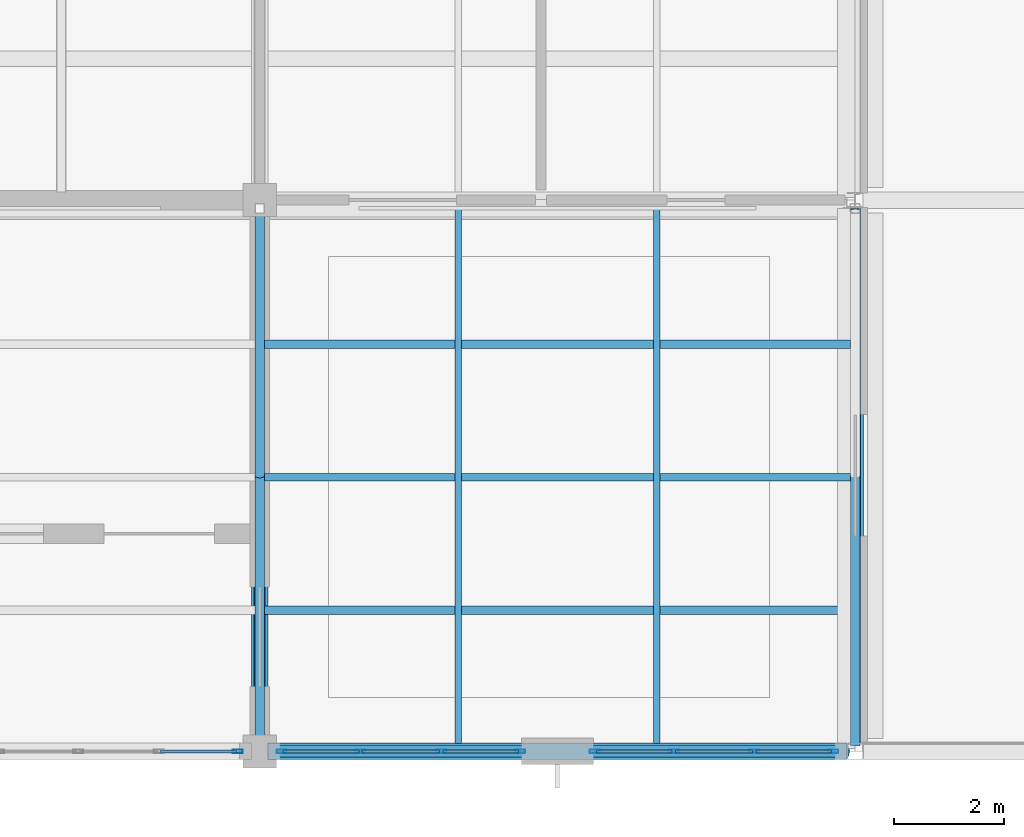
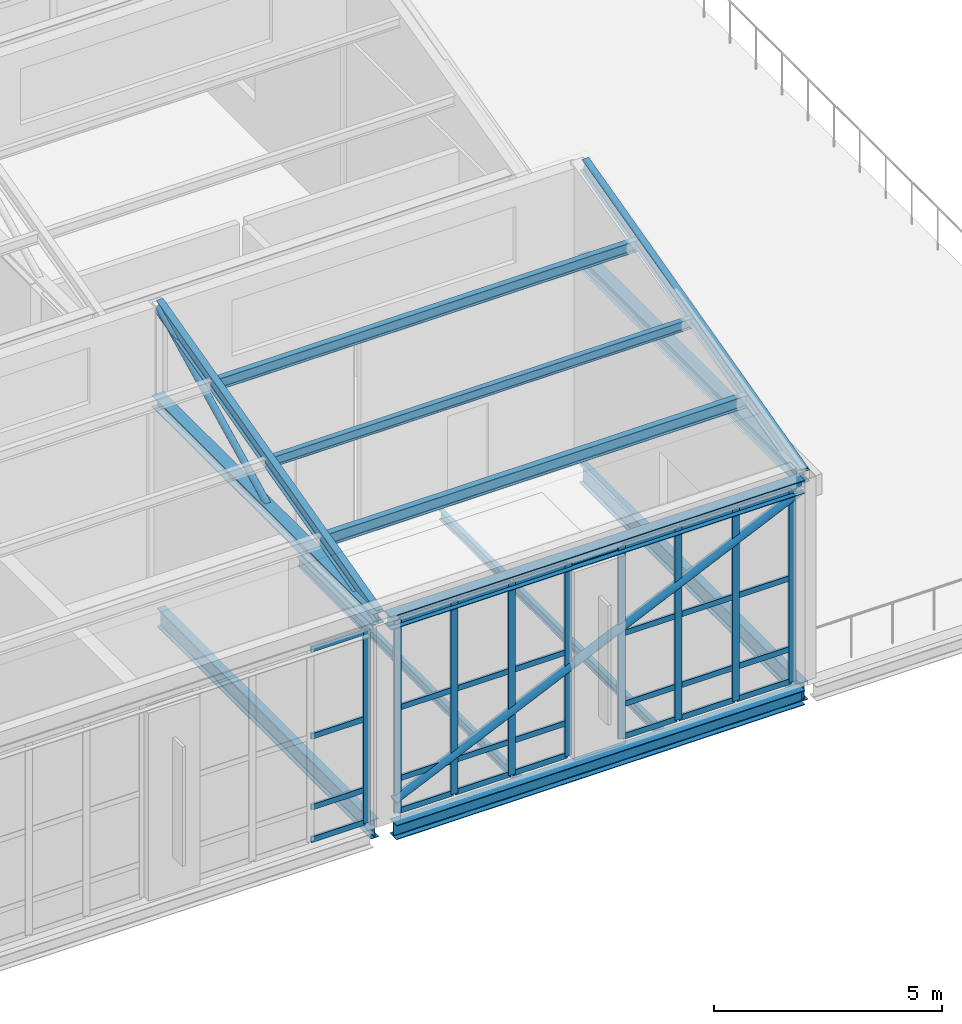
# One storey, part 25 of 49: 46 members, 6 beams, 3 elements without a shape of their own.
"""IFC4 building model written with IfcOpenShell, lengths in metres."""

from ifc_helpers import new_model, si_unit, direction, frame, origin, origin_2d, place, context, subcontext, project, spatial, hollow_rectangle, hollow_circle, i_section, extrude, material, layer, layer_set, material_profile, profile_set, type_object, element, aggregate, save


model = new_model("IFC4")

# Units and contexts
model_context = context("Model", 3, precision=1e-05, world=origin(), true_north=direction((0.0, 1.0)))
body_context = subcontext(model_context, "Body", "Model", "MODEL_VIEW")
ifc_project = project(units=[si_unit("LENGTHUNIT", "METRE"), si_unit("AREAUNIT", "SQUARE_METRE"), si_unit("VOLUMEUNIT", "CUBIC_METRE"), si_unit("PLANEANGLEUNIT", "RADIAN"), si_unit("MASSUNIT", "GRAM", prefix="KILO")], contexts=[model_context])

# Site, building, storey
site_placement = place(None, origin())
site = spatial("IfcSite", under=ifc_project, at=site_placement, CompositionType="ELEMENT")
building_placement = place(site_placement, origin())
building = spatial("IfcBuilding", under=site, at=building_placement, Name="Tasgan Crest Museum", CompositionType="ELEMENT")
storey_placement = place(building_placement, frame((0.0, 0.0, 28.800048828125)))
storey = spatial("IfcBuildingStorey", under=building, at=storey_placement, Name="L05", CompositionType="ELEMENT", Elevation=28.800048828125)

# Beams
ifc_material_1 = material(Name="Steel S355J2", Category="steel")
ifc_material_profile_1 = material_profile(ifc_material_1, i_section(OverallWidth=0.300048828125, OverallDepth=0.35009765625, WebThickness=0.009521484375, FlangeThickness=0.017578125, FilletRadius=0.027099609375, at=origin_2d()), Name="HEA 360")
ifc_profile_set_1 = profile_set([ifc_material_profile_1], Name="Steel S355J2")
beam_type_1 = type_object("IfcBeamType", Name="BM-G-HEA360", PredefinedType="BEAM", material=ifc_profile_set_1)
beam_1_placement = place(storey_placement, frame((64.949951171875, 82.0, 5.219970703125), z_axis=(1.0, 0.0, 0.0), x_axis=(0.0, 1.0, 0.0)))
element("IfcBeam", 1, at=beam_1_placement, inside=storey, type_object=beam_type_1, Name="Sawtooth valley girder B1 64.8-75.6", PredefinedType="BEAM", context=body_context, shape_type="SweptSolid", body=[
    extrude(i_section(OverallWidth=0.300048828125, OverallDepth=0.35009765625, WebThickness=0.009521484375, FlangeThickness=0.017578125, FilletRadius=0.027099609375, at=origin_2d()), origin(), (0.0, 0.0, 1.0), 10.5),
])
ifc_material_2 = material(Name="Steel S355J2", Category="steel")
ifc_material_profile_2 = material_profile(ifc_material_2, i_section(OverallWidth=0.300048828125, OverallDepth=0.389892578125, WebThickness=0.010986328125, FlangeThickness=0.01904296875, FilletRadius=0.027099609375, at=origin_2d()), Name="HEA 400")
ifc_profile_set_2 = profile_set([ifc_material_profile_2], Name="Steel S355J2")
beam_type_2 = type_object("IfcBeamType", Name="BM-G-HEA400", PredefinedType="BEAM", material=ifc_profile_set_2)
beam_2_placement = place(storey_placement, frame((65.095947265625, 82.0, -0.43505859375), z_axis=(1.0, 0.0, 0.0), x_axis=(0.0, 1.0, 0.0)))
element("IfcBeam", 2, at=beam_2_placement, inside=storey, type_object=beam_type_2, Name="Girder L05 J 64.8-75.6", PredefinedType="BEAM", context=body_context, shape_type="SweptSolid", body=[
    extrude(i_section(OverallWidth=0.300048828125, OverallDepth=0.389892578125, WebThickness=0.010986328125, FlangeThickness=0.01904296875, FilletRadius=0.027099609375, at=origin_2d()), origin(), (0.0, 0.0, 1.0), 10.358154296875),
])
ifc_material_3 = material(Name="Steel S355J2", Category="steel")
ifc_material_profile_3 = material_profile(ifc_material_3, i_section(OverallWidth=0.199951171875, OverallDepth=0.5, WebThickness=0.01025390625, FlangeThickness=0.01611328125, FilletRadius=0.02099609375, at=origin_2d()), Name="IPE 500")
ifc_profile_set_3 = profile_set([ifc_material_profile_3], Name="Steel S355J2")
beam_type_3 = type_object("IfcBeamType", Name="BM-G-IPE500", PredefinedType="BEAM", material=ifc_profile_set_3)
beam_3_placement = place(storey_placement, frame((64.800048828125, 82.294921875, -0.489990234375), z_axis=(0.0, 1.0, 0.0), x_axis=(-1.0, 0.0, 0.0)))
element("IfcBeam", 3, at=beam_3_placement, inside=storey, type_object=beam_type_3, Name="Beam L05 7 82.0-92.0", PredefinedType="BEAM", context=body_context, shape_type="SweptSolid", body=[
    extrude(i_section(OverallWidth=0.199951171875, OverallDepth=0.5, WebThickness=0.01025390625, FlangeThickness=0.01611328125, FilletRadius=0.02099609375, at=origin_2d()), origin(), (0.0, 0.0, 1.0), 9.41015625),
])
beam_4_placement = place(storey_placement, frame((75.60009765625, 82.14501953125, -0.5), z_axis=(0.0, 1.0, 0.0), x_axis=(-1.0, 0.0, 0.0)))
element("IfcBeam", 4, at=beam_4_placement, inside=storey, type_object=beam_type_3, Name="Beam L05 8 82.0-92.0", PredefinedType="BEAM", context=body_context, shape_type="SweptSolid", body=[
    extrude(i_section(OverallWidth=0.199951171875, OverallDepth=0.5, WebThickness=0.01025390625, FlangeThickness=0.01611328125, FilletRadius=0.02099609375, at=origin_2d()), origin(), (0.0, 0.0, 1.0), 9.705078125),
])
ifc_material_4 = material(Name="Steel S355J2", Category="steel")
ifc_material_profile_4 = material_profile(ifc_material_4, i_section(OverallWidth=0.1201171875, OverallDepth=0.239990234375, WebThickness=0.006103515625, FlangeThickness=0.009765625, FilletRadius=0.014892578125, at=origin_2d()), Name="IPE 240")
ifc_profile_set_4 = profile_set([ifc_material_profile_4], Name="Steel S355J2")
beam_type_4 = type_object("IfcBeamType", Name="BM-J-IPE240", PredefinedType="JOIST", material=ifc_profile_set_4)
for number, where, z_axis, x_axis, name in (
    (5, (68.39990234375, 82.14501953125, -0.360107421875), (0.0, 1.0, 0.0), (-1.0, 0.0, 0.0), "Secondary joist L05 X=68.4 Y=82.0-92.0"),
    (6, (72.0, 82.14501953125, -0.360107421875), (0.0, 1.0, 0.0), (-1.0, 0.0, 0.0), "Secondary joist L05 X=72.0 Y=82.0-92.0"),
):
    element("IfcBeam", number, at=place(storey_placement, frame(where, z_axis=z_axis, x_axis=x_axis)), inside=storey, type_object=beam_type_4, Name=name, PredefinedType="JOIST", context=body_context, shape_type="SweptSolid", body=[
        extrude(i_section(OverallWidth=0.1201171875, OverallDepth=0.239990234375, WebThickness=0.006103515625, FlangeThickness=0.009765625, FilletRadius=0.014892578125, at=origin_2d()), origin(), (0.0, 0.0, 1.0), 9.7099609375),
    ])

# Curtain wall, member
ifc_material_5 = material(Name="Triple-Glazed Aluminium Curtain Wall", Category="aluminium")
ifc_layer = layer(ifc_material_5, 0.179931640625, Name="CW-DRUM-X-48")
ifc_layer_set = layer_set([ifc_layer], Name="Triple-Glazed Aluminium Curtain Wall")
curtain_wall_type = type_object("IfcCurtainWallType", Name="CW-DRUM-X-48", PredefinedType="NOTDEFINED", material=ifc_layer_set)
curtain_wall_1_placement = place(storey_placement, origin())
curtain_wall_1 = element("IfcCurtainWall", 7, at=curtain_wall_1_placement, inside=storey, type_object=curtain_wall_type, Name="Curtain wall L05 218", PredefinedType="NOTDEFINED")
ifc_material_6 = material(Name="Anodised Aluminium", Category="aluminium")
ifc_material_profile_5 = material_profile(ifc_material_6, hollow_rectangle(XDim=0.06494140625, YDim=0.179931640625, WallThickness=0.0048828125, at=origin_2d()), Name="ALU MULLION 180x65x5")
ifc_profile_set_5 = profile_set([ifc_material_profile_5], Name="Anodised Aluminium")
member_type_1 = type_object("IfcMemberType", Name="CW-MULLION-180", PredefinedType="MULLION", material=ifc_profile_set_5)
member_1_placement = place(storey_placement, frame((64.405029296875, 82.0, 0.0), z_axis=(0.0, 0.0, 1.0), x_axis=(0.0, 1.0, 0.0)))
member_1 = element("IfcMember", 8, at=member_1_placement, type_object=member_type_1, Name="CW03 mullion 4", PredefinedType="MULLION", context=body_context, shape_type="SweptSolid", body=[
    extrude(hollow_rectangle(XDim=0.06494140625, YDim=0.179931640625, WallThickness=0.0048828125, at=origin_2d()), origin(), (0.0, 0.0, 1.0), 5.159912109375),
])

# Curtain wall, members
curtain_wall_2_placement = place(storey_placement, origin())
curtain_wall_2 = element("IfcCurtainWall", 9, at=curtain_wall_2_placement, inside=storey, type_object=curtain_wall_type, Name="Curtain wall L05 219", PredefinedType="NOTDEFINED")
member_2_placement = place(storey_placement, frame((65.195068359375, 82.0, 0.0), z_axis=(0.0, 0.0, 1.0), x_axis=(0.0, 1.0, 0.0)))
member_2 = element("IfcMember", 10, at=member_2_placement, type_object=member_type_1, Name="CW03 mullion 1", PredefinedType="MULLION", context=body_context, shape_type="SweptSolid", body=[
    extrude(hollow_rectangle(XDim=0.06494140625, YDim=0.179931640625, WallThickness=0.0048828125, at=origin_2d()), origin(), (0.0, 0.0, 1.0), 5.159912109375),
])
member_3_placement = place(storey_placement, frame((66.62841796875, 82.0, 0.0), z_axis=(0.0, 0.0, 1.0), x_axis=(0.0, 1.0, 0.0)))
member_3 = element("IfcMember", 11, at=member_3_placement, type_object=member_type_1, Name="CW03 mullion 2", PredefinedType="MULLION", context=body_context, shape_type="SweptSolid", body=[
    extrude(hollow_rectangle(XDim=0.06494140625, YDim=0.179931640625, WallThickness=0.0048828125, at=origin_2d()), origin(), (0.0, 0.0, 1.0), 5.159912109375),
])
member_4_placement = place(storey_placement, frame((68.091552734375, 82.0, 0.0), z_axis=(0.0, 0.0, 1.0), x_axis=(0.0, 1.0, 0.0)))
member_4 = element("IfcMember", 12, at=member_4_placement, type_object=member_type_1, Name="CW03 mullion 3", PredefinedType="MULLION", context=body_context, shape_type="SweptSolid", body=[
    extrude(hollow_rectangle(XDim=0.06494140625, YDim=0.179931640625, WallThickness=0.0048828125, at=origin_2d()), origin(), (0.0, 0.0, 1.0), 5.159912109375),
])
member_5_placement = place(storey_placement, frame((69.52490234375, 82.0, 0.0), z_axis=(0.0, 0.0, 1.0), x_axis=(0.0, 1.0, 0.0)))
member_5 = element("IfcMember", 13, at=member_5_placement, type_object=member_type_1, Name="CW03 mullion 4", PredefinedType="MULLION", context=body_context, shape_type="SweptSolid", body=[
    extrude(hollow_rectangle(XDim=0.06494140625, YDim=0.179931640625, WallThickness=0.0048828125, at=origin_2d()), origin(), (0.0, 0.0, 1.0), 5.159912109375),
])

curtain_wall_3_placement = place(storey_placement, origin())
curtain_wall_3 = element("IfcCurtainWall", 14, at=curtain_wall_3_placement, inside=storey, type_object=curtain_wall_type, Name="Curtain wall L05 220", PredefinedType="NOTDEFINED")
member_6_placement = place(storey_placement, frame((70.875, 82.0, 0.0), z_axis=(0.0, 0.0, 1.0), x_axis=(0.0, 1.0, 0.0)))
member_6 = element("IfcMember", 15, at=member_6_placement, type_object=member_type_1, Name="CW03 mullion 1", PredefinedType="MULLION", context=body_context, shape_type="SweptSolid", body=[
    extrude(hollow_rectangle(XDim=0.06494140625, YDim=0.179931640625, WallThickness=0.0048828125, at=origin_2d()), origin(), (0.0, 0.0, 1.0), 5.159912109375),
])
member_7_placement = place(storey_placement, frame((72.308349609375, 82.0, 0.0), z_axis=(0.0, 0.0, 1.0), x_axis=(0.0, 1.0, 0.0)))
member_7 = element("IfcMember", 16, at=member_7_placement, type_object=member_type_1, Name="CW03 mullion 2", PredefinedType="MULLION", context=body_context, shape_type="SweptSolid", body=[
    extrude(hollow_rectangle(XDim=0.06494140625, YDim=0.179931640625, WallThickness=0.0048828125, at=origin_2d()), origin(), (0.0, 0.0, 1.0), 5.159912109375),
])
member_8_placement = place(storey_placement, frame((73.771728515625, 82.0, 0.0), z_axis=(0.0, 0.0, 1.0), x_axis=(0.0, 1.0, 0.0)))
member_8 = element("IfcMember", 17, at=member_8_placement, type_object=member_type_1, Name="CW03 mullion 3", PredefinedType="MULLION", context=body_context, shape_type="SweptSolid", body=[
    extrude(hollow_rectangle(XDim=0.06494140625, YDim=0.179931640625, WallThickness=0.0048828125, at=origin_2d()), origin(), (0.0, 0.0, 1.0), 5.159912109375),
])
member_9_placement = place(storey_placement, frame((75.205078125, 82.0, 0.0), z_axis=(0.0, 0.0, 1.0), x_axis=(0.0, 1.0, 0.0)))
member_9 = element("IfcMember", 18, at=member_9_placement, type_object=member_type_1, Name="CW03 mullion 4", PredefinedType="MULLION", context=body_context, shape_type="SweptSolid", body=[
    extrude(hollow_rectangle(XDim=0.06494140625, YDim=0.179931640625, WallThickness=0.0048828125, at=origin_2d()), origin(), (0.0, 0.0, 1.0), 5.159912109375),
])

# Member
ifc_material_7 = material(Name="Anodised Aluminium", Category="aluminium")
ifc_material_profile_6 = material_profile(ifc_material_7, hollow_rectangle(XDim=0.06005859375, YDim=0.14990234375, WallThickness=0.0048828125, at=origin_2d()), Name="ALU TRANSOM 150x60x5")
ifc_profile_set_6 = profile_set([ifc_material_profile_6], Name="Anodised Aluminium")
member_type_2 = type_object("IfcMemberType", Name="CW-TRANSOM-150", PredefinedType="USERDEFINED", material=ifc_profile_set_6)
member_10_placement = place(storey_placement, frame((63.001708984375, 82.0, 0.030029296875), z_axis=(1.0, 0.0, 0.0), x_axis=(0.0, 1.0, 0.0)))
member_10 = element("IfcMember", 19, at=member_10_placement, type_object=member_type_2, Name="CW03 transom 3.1", ObjectType="TRANSOM", PredefinedType="USERDEFINED", context=body_context, shape_type="SweptSolid", body=[
    extrude(hollow_rectangle(XDim=0.06005859375, YDim=0.14990234375, WallThickness=0.0048828125, at=origin_2d()), origin(), (0.0, 0.0, 1.0), 1.373291015625),
])

member_11_placement = place(storey_placement, frame((63.001708984375, 82.0, 0.89990234375), z_axis=(1.0, 0.0, 0.0), x_axis=(0.0, 1.0, 0.0)))
member_11 = element("IfcMember", 20, at=member_11_placement, type_object=member_type_2, Name="CW03 transom 3.2", ObjectType="TRANSOM", PredefinedType="USERDEFINED", context=body_context, shape_type="SweptSolid", body=[
    extrude(hollow_rectangle(XDim=0.06005859375, YDim=0.14990234375, WallThickness=0.0048828125, at=origin_2d()), origin(), (0.0, 0.0, 1.0), 1.373291015625),
])

member_12_placement = place(storey_placement, frame((63.001708984375, 82.0, 2.800048828125), z_axis=(1.0, 0.0, 0.0), x_axis=(0.0, 1.0, 0.0)))
member_12 = element("IfcMember", 21, at=member_12_placement, type_object=member_type_2, Name="CW03 transom 3.3", ObjectType="TRANSOM", PredefinedType="USERDEFINED", context=body_context, shape_type="SweptSolid", body=[
    extrude(hollow_rectangle(XDim=0.06005859375, YDim=0.14990234375, WallThickness=0.0048828125, at=origin_2d()), origin(), (0.0, 0.0, 1.0), 1.373291015625),
])

member_13_placement = place(storey_placement, frame((63.001708984375, 82.0, 5.1298828125), z_axis=(1.0, 0.0, 0.0), x_axis=(0.0, 1.0, 0.0)))
member_13 = element("IfcMember", 22, at=member_13_placement, type_object=member_type_2, Name="CW03 transom 3.4", ObjectType="TRANSOM", PredefinedType="USERDEFINED", context=body_context, shape_type="SweptSolid", body=[
    extrude(hollow_rectangle(XDim=0.06005859375, YDim=0.14990234375, WallThickness=0.0048828125, at=origin_2d()), origin(), (0.0, 0.0, 1.0), 1.373291015625),
])

aggregate(curtain_wall_1, [member_1, member_10, member_11, member_12, member_13])

member_14_placement = place(storey_placement, frame((65.22509765625, 82.0, 0.030029296875), z_axis=(1.0, 0.0, 0.0), x_axis=(0.0, 1.0, 0.0)))
member_14 = element("IfcMember", 23, at=member_14_placement, type_object=member_type_2, Name="CW03 transom 1.1", ObjectType="TRANSOM", PredefinedType="USERDEFINED", context=body_context, shape_type="SweptSolid", body=[
    extrude(hollow_rectangle(XDim=0.06005859375, YDim=0.14990234375, WallThickness=0.0048828125, at=origin_2d()), origin(), (0.0, 0.0, 1.0), 1.373291015625),
])

member_15_placement = place(storey_placement, frame((65.22509765625, 82.0, 0.89990234375), z_axis=(1.0, 0.0, 0.0), x_axis=(0.0, 1.0, 0.0)))
member_15 = element("IfcMember", 24, at=member_15_placement, type_object=member_type_2, Name="CW03 transom 1.2", ObjectType="TRANSOM", PredefinedType="USERDEFINED", context=body_context, shape_type="SweptSolid", body=[
    extrude(hollow_rectangle(XDim=0.06005859375, YDim=0.14990234375, WallThickness=0.0048828125, at=origin_2d()), origin(), (0.0, 0.0, 1.0), 1.373291015625),
])

member_16_placement = place(storey_placement, frame((65.22509765625, 82.0, 2.800048828125), z_axis=(1.0, 0.0, 0.0), x_axis=(0.0, 1.0, 0.0)))
member_16 = element("IfcMember", 25, at=member_16_placement, type_object=member_type_2, Name="CW03 transom 1.3", ObjectType="TRANSOM", PredefinedType="USERDEFINED", context=body_context, shape_type="SweptSolid", body=[
    extrude(hollow_rectangle(XDim=0.06005859375, YDim=0.14990234375, WallThickness=0.0048828125, at=origin_2d()), origin(), (0.0, 0.0, 1.0), 1.373291015625),
])

member_17_placement = place(storey_placement, frame((65.22509765625, 82.0, 5.1298828125), z_axis=(1.0, 0.0, 0.0), x_axis=(0.0, 1.0, 0.0)))
member_17 = element("IfcMember", 26, at=member_17_placement, type_object=member_type_2, Name="CW03 transom 1.4", ObjectType="TRANSOM", PredefinedType="USERDEFINED", context=body_context, shape_type="SweptSolid", body=[
    extrude(hollow_rectangle(XDim=0.06005859375, YDim=0.14990234375, WallThickness=0.0048828125, at=origin_2d()), origin(), (0.0, 0.0, 1.0), 1.373291015625),
])

member_18_placement = place(storey_placement, frame((66.658447265625, 82.0, 0.030029296875), z_axis=(1.0, 0.0, 0.0), x_axis=(0.0, 1.0, 0.0)))
member_18 = element("IfcMember", 27, at=member_18_placement, type_object=member_type_2, Name="CW03 transom 2.1", ObjectType="TRANSOM", PredefinedType="USERDEFINED", context=body_context, shape_type="SweptSolid", body=[
    extrude(hollow_rectangle(XDim=0.06005859375, YDim=0.14990234375, WallThickness=0.0048828125, at=origin_2d()), origin(), (0.0, 0.0, 1.0), 1.4033203125),
])

member_19_placement = place(storey_placement, frame((66.658447265625, 82.0, 0.89990234375), z_axis=(1.0, 0.0, 0.0), x_axis=(0.0, 1.0, 0.0)))
member_19 = element("IfcMember", 28, at=member_19_placement, type_object=member_type_2, Name="CW03 transom 2.2", ObjectType="TRANSOM", PredefinedType="USERDEFINED", context=body_context, shape_type="SweptSolid", body=[
    extrude(hollow_rectangle(XDim=0.06005859375, YDim=0.14990234375, WallThickness=0.0048828125, at=origin_2d()), origin(), (0.0, 0.0, 1.0), 1.4033203125),
])

member_20_placement = place(storey_placement, frame((66.658447265625, 82.0, 2.800048828125), z_axis=(1.0, 0.0, 0.0), x_axis=(0.0, 1.0, 0.0)))
member_20 = element("IfcMember", 29, at=member_20_placement, type_object=member_type_2, Name="CW03 transom 2.3", ObjectType="TRANSOM", PredefinedType="USERDEFINED", context=body_context, shape_type="SweptSolid", body=[
    extrude(hollow_rectangle(XDim=0.06005859375, YDim=0.14990234375, WallThickness=0.0048828125, at=origin_2d()), origin(), (0.0, 0.0, 1.0), 1.4033203125),
])

member_21_placement = place(storey_placement, frame((66.658447265625, 82.0, 5.1298828125), z_axis=(1.0, 0.0, 0.0), x_axis=(0.0, 1.0, 0.0)))
member_21 = element("IfcMember", 30, at=member_21_placement, type_object=member_type_2, Name="CW03 transom 2.4", ObjectType="TRANSOM", PredefinedType="USERDEFINED", context=body_context, shape_type="SweptSolid", body=[
    extrude(hollow_rectangle(XDim=0.06005859375, YDim=0.14990234375, WallThickness=0.0048828125, at=origin_2d()), origin(), (0.0, 0.0, 1.0), 1.4033203125),
])

member_22_placement = place(storey_placement, frame((68.12158203125, 82.0, 0.030029296875), z_axis=(1.0, 0.0, 0.0), x_axis=(0.0, 1.0, 0.0)))
member_22 = element("IfcMember", 31, at=member_22_placement, type_object=member_type_2, Name="CW03 transom 3.1", ObjectType="TRANSOM", PredefinedType="USERDEFINED", context=body_context, shape_type="SweptSolid", body=[
    extrude(hollow_rectangle(XDim=0.06005859375, YDim=0.14990234375, WallThickness=0.0048828125, at=origin_2d()), origin(), (0.0, 0.0, 1.0), 1.37353515625),
])

member_23_placement = place(storey_placement, frame((68.12158203125, 82.0, 0.89990234375), z_axis=(1.0, 0.0, 0.0), x_axis=(0.0, 1.0, 0.0)))
member_23 = element("IfcMember", 32, at=member_23_placement, type_object=member_type_2, Name="CW03 transom 3.2", ObjectType="TRANSOM", PredefinedType="USERDEFINED", context=body_context, shape_type="SweptSolid", body=[
    extrude(hollow_rectangle(XDim=0.06005859375, YDim=0.14990234375, WallThickness=0.0048828125, at=origin_2d()), origin(), (0.0, 0.0, 1.0), 1.37353515625),
])

member_24_placement = place(storey_placement, frame((68.12158203125, 82.0, 2.800048828125), z_axis=(1.0, 0.0, 0.0), x_axis=(0.0, 1.0, 0.0)))
member_24 = element("IfcMember", 33, at=member_24_placement, type_object=member_type_2, Name="CW03 transom 3.3", ObjectType="TRANSOM", PredefinedType="USERDEFINED", context=body_context, shape_type="SweptSolid", body=[
    extrude(hollow_rectangle(XDim=0.06005859375, YDim=0.14990234375, WallThickness=0.0048828125, at=origin_2d()), origin(), (0.0, 0.0, 1.0), 1.37353515625),
])

member_25_placement = place(storey_placement, frame((68.12158203125, 82.0, 5.1298828125), z_axis=(1.0, 0.0, 0.0), x_axis=(0.0, 1.0, 0.0)))
member_25 = element("IfcMember", 34, at=member_25_placement, type_object=member_type_2, Name="CW03 transom 3.4", ObjectType="TRANSOM", PredefinedType="USERDEFINED", context=body_context, shape_type="SweptSolid", body=[
    extrude(hollow_rectangle(XDim=0.06005859375, YDim=0.14990234375, WallThickness=0.0048828125, at=origin_2d()), origin(), (0.0, 0.0, 1.0), 1.37353515625),
])

aggregate(curtain_wall_2, [member_2, member_3, member_4, member_5, member_14, member_15, member_16, member_17, member_18, member_19, member_20, member_21, member_22, member_23, member_24, member_25])

member_26_placement = place(storey_placement, frame((70.905029296875, 82.0, 0.030029296875), z_axis=(1.0, 0.0, 0.0), x_axis=(0.0, 1.0, 0.0)))
member_26 = element("IfcMember", 35, at=member_26_placement, type_object=member_type_2, Name="CW03 transom 1.1", ObjectType="TRANSOM", PredefinedType="USERDEFINED", context=body_context, shape_type="SweptSolid", body=[
    extrude(hollow_rectangle(XDim=0.06005859375, YDim=0.14990234375, WallThickness=0.0048828125, at=origin_2d()), origin(), (0.0, 0.0, 1.0), 1.373291015625),
])

member_27_placement = place(storey_placement, frame((70.905029296875, 82.0, 0.89990234375), z_axis=(1.0, 0.0, 0.0), x_axis=(0.0, 1.0, 0.0)))
member_27 = element("IfcMember", 36, at=member_27_placement, type_object=member_type_2, Name="CW03 transom 1.2", ObjectType="TRANSOM", PredefinedType="USERDEFINED", context=body_context, shape_type="SweptSolid", body=[
    extrude(hollow_rectangle(XDim=0.06005859375, YDim=0.14990234375, WallThickness=0.0048828125, at=origin_2d()), origin(), (0.0, 0.0, 1.0), 1.373291015625),
])

member_28_placement = place(storey_placement, frame((70.905029296875, 82.0, 2.800048828125), z_axis=(1.0, 0.0, 0.0), x_axis=(0.0, 1.0, 0.0)))
member_28 = element("IfcMember", 37, at=member_28_placement, type_object=member_type_2, Name="CW03 transom 1.3", ObjectType="TRANSOM", PredefinedType="USERDEFINED", context=body_context, shape_type="SweptSolid", body=[
    extrude(hollow_rectangle(XDim=0.06005859375, YDim=0.14990234375, WallThickness=0.0048828125, at=origin_2d()), origin(), (0.0, 0.0, 1.0), 1.373291015625),
])

member_29_placement = place(storey_placement, frame((70.905029296875, 82.0, 5.1298828125), z_axis=(1.0, 0.0, 0.0), x_axis=(0.0, 1.0, 0.0)))
member_29 = element("IfcMember", 38, at=member_29_placement, type_object=member_type_2, Name="CW03 transom 1.4", ObjectType="TRANSOM", PredefinedType="USERDEFINED", context=body_context, shape_type="SweptSolid", body=[
    extrude(hollow_rectangle(XDim=0.06005859375, YDim=0.14990234375, WallThickness=0.0048828125, at=origin_2d()), origin(), (0.0, 0.0, 1.0), 1.373291015625),
])

member_30_placement = place(storey_placement, frame((72.33837890625, 82.0, 0.030029296875), z_axis=(1.0, 0.0, 0.0), x_axis=(0.0, 1.0, 0.0)))
member_30 = element("IfcMember", 39, at=member_30_placement, type_object=member_type_2, Name="CW03 transom 2.1", ObjectType="TRANSOM", PredefinedType="USERDEFINED", context=body_context, shape_type="SweptSolid", body=[
    extrude(hollow_rectangle(XDim=0.06005859375, YDim=0.14990234375, WallThickness=0.0048828125, at=origin_2d()), origin(), (0.0, 0.0, 1.0), 1.4033203125),
])

member_31_placement = place(storey_placement, frame((72.33837890625, 82.0, 0.89990234375), z_axis=(1.0, 0.0, 0.0), x_axis=(0.0, 1.0, 0.0)))
member_31 = element("IfcMember", 40, at=member_31_placement, type_object=member_type_2, Name="CW03 transom 2.2", ObjectType="TRANSOM", PredefinedType="USERDEFINED", context=body_context, shape_type="SweptSolid", body=[
    extrude(hollow_rectangle(XDim=0.06005859375, YDim=0.14990234375, WallThickness=0.0048828125, at=origin_2d()), origin(), (0.0, 0.0, 1.0), 1.4033203125),
])

member_32_placement = place(storey_placement, frame((72.33837890625, 82.0, 2.800048828125), z_axis=(1.0, 0.0, 0.0), x_axis=(0.0, 1.0, 0.0)))
member_32 = element("IfcMember", 41, at=member_32_placement, type_object=member_type_2, Name="CW03 transom 2.3", ObjectType="TRANSOM", PredefinedType="USERDEFINED", context=body_context, shape_type="SweptSolid", body=[
    extrude(hollow_rectangle(XDim=0.06005859375, YDim=0.14990234375, WallThickness=0.0048828125, at=origin_2d()), origin(), (0.0, 0.0, 1.0), 1.4033203125),
])

member_33_placement = place(storey_placement, frame((72.33837890625, 82.0, 5.1298828125), z_axis=(1.0, 0.0, 0.0), x_axis=(0.0, 1.0, 0.0)))
member_33 = element("IfcMember", 42, at=member_33_placement, type_object=member_type_2, Name="CW03 transom 2.4", ObjectType="TRANSOM", PredefinedType="USERDEFINED", context=body_context, shape_type="SweptSolid", body=[
    extrude(hollow_rectangle(XDim=0.06005859375, YDim=0.14990234375, WallThickness=0.0048828125, at=origin_2d()), origin(), (0.0, 0.0, 1.0), 1.4033203125),
])

member_34_placement = place(storey_placement, frame((73.8017578125, 82.0, 0.030029296875), z_axis=(1.0, 0.0, 0.0), x_axis=(0.0, 1.0, 0.0)))
member_34 = element("IfcMember", 43, at=member_34_placement, type_object=member_type_2, Name="CW03 transom 3.1", ObjectType="TRANSOM", PredefinedType="USERDEFINED", context=body_context, shape_type="SweptSolid", body=[
    extrude(hollow_rectangle(XDim=0.06005859375, YDim=0.14990234375, WallThickness=0.0048828125, at=origin_2d()), origin(), (0.0, 0.0, 1.0), 1.373291015625),
])

member_35_placement = place(storey_placement, frame((73.8017578125, 82.0, 0.89990234375), z_axis=(1.0, 0.0, 0.0), x_axis=(0.0, 1.0, 0.0)))
member_35 = element("IfcMember", 44, at=member_35_placement, type_object=member_type_2, Name="CW03 transom 3.2", ObjectType="TRANSOM", PredefinedType="USERDEFINED", context=body_context, shape_type="SweptSolid", body=[
    extrude(hollow_rectangle(XDim=0.06005859375, YDim=0.14990234375, WallThickness=0.0048828125, at=origin_2d()), origin(), (0.0, 0.0, 1.0), 1.373291015625),
])

member_36_placement = place(storey_placement, frame((73.8017578125, 82.0, 2.800048828125), z_axis=(1.0, 0.0, 0.0), x_axis=(0.0, 1.0, 0.0)))
member_36 = element("IfcMember", 45, at=member_36_placement, type_object=member_type_2, Name="CW03 transom 3.3", ObjectType="TRANSOM", PredefinedType="USERDEFINED", context=body_context, shape_type="SweptSolid", body=[
    extrude(hollow_rectangle(XDim=0.06005859375, YDim=0.14990234375, WallThickness=0.0048828125, at=origin_2d()), origin(), (0.0, 0.0, 1.0), 1.373291015625),
])

member_37_placement = place(storey_placement, frame((73.8017578125, 82.0, 5.1298828125), z_axis=(1.0, 0.0, 0.0), x_axis=(0.0, 1.0, 0.0)))
member_37 = element("IfcMember", 46, at=member_37_placement, type_object=member_type_2, Name="CW03 transom 3.4", ObjectType="TRANSOM", PredefinedType="USERDEFINED", context=body_context, shape_type="SweptSolid", body=[
    extrude(hollow_rectangle(XDim=0.06005859375, YDim=0.14990234375, WallThickness=0.0048828125, at=origin_2d()), origin(), (0.0, 0.0, 1.0), 1.373291015625),
])

aggregate(curtain_wall_3, [member_6, member_7, member_8, member_9, member_26, member_27, member_28, member_29, member_30, member_31, member_32, member_33, member_34, member_35, member_36, member_37])

# Members
ifc_material_8 = material(Name="Steel S355J2", Category="steel")
ifc_material_profile_7 = material_profile(ifc_material_8, hollow_circle(Radius=0.109619140625, WallThickness=0.010009765625, at=origin_2d()), Name="CHS 219.1x10")
ifc_profile_set_7 = profile_set([ifc_material_profile_7], Name="Steel S355J2")
member_type_3 = type_object("IfcMemberType", Name="MEM-BRACE-CHS219", PredefinedType="BRACE", material=ifc_profile_set_7)
member_38_placement = place(storey_placement, frame((65.10009765625, 82.0, 0.349853515625), z_axis=(0.910176681331, 0.0, 0.414220241854), x_axis=(0.0, 1.0, 0.0)))
element("IfcMember", 47, at=member_38_placement, inside=storey, type_object=member_type_3, Name="Diagonal brace L05 J 64.8-75.6", PredefinedType="BRACE", context=body_context, shape_type="SweptSolid", body=[
    extrude(hollow_circle(Radius=0.109619140625, WallThickness=0.010009765625, at=origin_2d()), origin(), (0.0, 0.0, 1.0), 11.371337890625),
])
ifc_material_9 = material(Name="Steel S355J2", Category="steel")
ifc_material_profile_8 = material_profile(ifc_material_9, i_section(OverallWidth=0.14990234375, OverallDepth=0.300048828125, WebThickness=0.007080078125, FlangeThickness=0.0107421875, FilletRadius=0.014892578125, at=origin_2d()), Name="IPE 300")
ifc_profile_set_8 = profile_set([ifc_material_profile_8], Name="Steel S355J2")
member_type_4 = type_object("IfcMemberType", Name="MEM-PUR-IPE300", PredefinedType="PURLIN", material=ifc_profile_set_8)
member_39_placement = place(storey_placement, frame((64.885009765625, 89.387451171875, 7.1298828125), z_axis=(1.0, 0.0, 0.0), x_axis=(0.0, 1.0, 0.0)))
element("IfcMember", 48, at=member_39_placement, inside=storey, type_object=member_type_4, Name="Sawtooth roof purlin B1 64.8-75.6 P3", PredefinedType="PURLIN", context=body_context, shape_type="SweptSolid", body=[
    extrude(i_section(OverallWidth=0.14990234375, OverallDepth=0.300048828125, WebThickness=0.007080078125, FlangeThickness=0.0107421875, FilletRadius=0.014892578125, at=origin_2d()), origin(), (0.0, 0.0, 1.0), 10.6298828125),
])
ifc_material_10 = material(Name="Steel S355J2", Category="steel")
ifc_material_profile_9 = material_profile(ifc_material_10, i_section(OverallWidth=0.159912109375, OverallDepth=0.330078125, WebThickness=0.007568359375, FlangeThickness=0.011474609375, FilletRadius=0.01806640625, at=origin_2d()), Name="IPE 330")
ifc_profile_set_9 = profile_set([ifc_material_profile_9], Name="Steel S355J2")
member_type_5 = type_object("IfcMemberType", Name="MEM-PUR-IPE330", PredefinedType="PURLIN", material=ifc_profile_set_9)
member_40_placement = place(storey_placement, frame((64.885009765625, 84.5625, 5.889892578125), z_axis=(1.0, 0.0, 0.0), x_axis=(0.0, 1.0, 0.0)))
element("IfcMember", 49, at=member_40_placement, inside=storey, type_object=member_type_5, Name="Sawtooth roof purlin B1 64.8-75.6 P1", PredefinedType="PURLIN", context=body_context, shape_type="SweptSolid", body=[
    extrude(i_section(OverallWidth=0.159912109375, OverallDepth=0.330078125, WebThickness=0.007568359375, FlangeThickness=0.011474609375, FilletRadius=0.01806640625, at=origin_2d()), origin(), (0.0, 0.0, 1.0), 10.6298828125),
])
ifc_material_11 = material(Name="Steel S355J2", Category="steel")
ifc_material_profile_10 = material_profile(ifc_material_11, i_section(OverallWidth=0.135009765625, OverallDepth=0.27001953125, WebThickness=0.006591796875, FlangeThickness=0.01025390625, FilletRadius=0.014892578125, at=origin_2d()), Name="IPE 270")
ifc_profile_set_10 = profile_set([ifc_material_profile_10], Name="Steel S355J2")
member_type_6 = type_object("IfcMemberType", Name="MEM-PURLIN-270", PredefinedType="PURLIN", material=ifc_profile_set_10)
member_41_placement = place(storey_placement, frame((64.885009765625, 86.97509765625, 6.510009765625), z_axis=(1.0, 0.0, 0.0), x_axis=(0.0, 1.0, 0.0)))
element("IfcMember", 50, at=member_41_placement, inside=storey, type_object=member_type_6, Name="Sawtooth roof purlin B1 64.8-75.6 P2", PredefinedType="PURLIN", context=body_context, shape_type="SweptSolid", body=[
    extrude(i_section(OverallWidth=0.135009765625, OverallDepth=0.27001953125, WebThickness=0.006591796875, FlangeThickness=0.01025390625, FilletRadius=0.014892578125, at=origin_2d()), origin(), (0.0, 0.0, 1.0), 10.6298828125),
])
ifc_material_12 = material(Name="Steel S355K2", Category="steel")
ifc_material_profile_11 = material_profile(ifc_material_12, i_section(OverallWidth=0.300048828125, OverallDepth=0.31005859375, WebThickness=0.009033203125, FlangeThickness=0.015380859375, FilletRadius=0.027099609375, at=origin_2d()), Name="HEA 320")
ifc_profile_set_11 = profile_set([ifc_material_profile_11], Name="Steel S355K2")
member_type_7 = type_object("IfcMemberType", Name="TR-SAW-CHORD", PredefinedType="CHORD", material=ifc_profile_set_11)
for number, where, z_axis, x_axis, name in (
    (51, (64.800048828125, 82.14990234375, 5.239990234375), (0.0, 1.0, 0.0), (-1.0, 0.0, 0.0), "Roof truss bottom chord B1 7"),
    (52, (75.60009765625, 82.14990234375, 5.239990234375), (0.0, 1.0, 0.0), (-1.0, 0.0, 0.0), "Roof truss bottom chord B1 8"),
):
    element("IfcMember", number, at=place(storey_placement, frame(where, z_axis=z_axis, x_axis=x_axis)), inside=storey, type_object=member_type_7, Name=name, PredefinedType="CHORD", context=body_context, shape_type="SweptSolid", body=[
        extrude(i_section(OverallWidth=0.300048828125, OverallDepth=0.31005859375, WebThickness=0.009033203125, FlangeThickness=0.015380859375, FilletRadius=0.027099609375, at=origin_2d()), origin(), (0.0, 0.0, 1.0), 9.7001953125),
    ])
ifc_material_13 = material(Name="Steel S355K2", Category="steel")
ifc_material_profile_12 = material_profile(ifc_material_13, hollow_circle(Radius=0.084228515625, WallThickness=0.008056640625, at=origin_2d()), Name="CHS 168.3x8")
ifc_profile_set_12 = profile_set([ifc_material_profile_12], Name="Steel S355K2")
member_type_8 = type_object("IfcMemberType", Name="TR-SAW-DIAG", PredefinedType="BRACE", material=ifc_profile_set_12)
member_42_placement = place(storey_placement, frame((64.800048828125, 87.0, 5.349853515625), z_axis=(0.0, 0.894418092416, 0.447231792205), x_axis=(-1.0, 0.0, 0.0)))
element("IfcMember", 53, at=member_42_placement, inside=storey, type_object=member_type_8, Name="Roof truss diagonal B1 7", PredefinedType="BRACE", context=body_context, shape_type="SweptSolid", body=[
    extrude(hollow_circle(Radius=0.084228515625, WallThickness=0.008056640625, at=origin_2d()), origin(), (0.0, 0.0, 1.0), 5.36669921875),
])
ifc_material_14 = material(Name="Steel S355K2", Category="steel")
ifc_material_profile_13 = material_profile(ifc_material_14, i_section(OverallWidth=0.169921875, OverallDepth=0.360107421875, WebThickness=0.008056640625, FlangeThickness=0.0126953125, FilletRadius=0.01806640625, at=origin_2d()), Name="IPE 360")
ifc_profile_set_13 = profile_set([ifc_material_profile_13], Name="Steel S355K2")
member_type_9 = type_object("IfcMemberType", Name="TR-SAW-RAFTER", PredefinedType="RAFTER", material=ifc_profile_set_13)
for number, where, z_axis, x_axis, name in (
    (54, (64.800048828125, 82.14990234375, 5.320068359375), (0.0, 0.968528888954, 0.248901167657), (-1.0, 0.0, 0.0), "Roof truss rafter B1 7"),
    (55, (75.60009765625, 82.14990234375, 5.320068359375), (0.0, 0.968528888954, 0.248901167657), (-1.0, 0.0, 0.0), "Roof truss rafter B1 8"),
):
    element("IfcMember", number, at=place(storey_placement, frame(where, z_axis=z_axis, x_axis=x_axis)), inside=storey, type_object=member_type_9, Name=name, PredefinedType="RAFTER", context=body_context, shape_type="SweptSolid", body=[
        extrude(i_section(OverallWidth=0.169921875, OverallDepth=0.360107421875, WebThickness=0.008056640625, FlangeThickness=0.0126953125, FilletRadius=0.01806640625, at=origin_2d()), origin(), (0.0, 0.0, 1.0), 9.963623046875),
    ])

save(model, "model.ifc")
